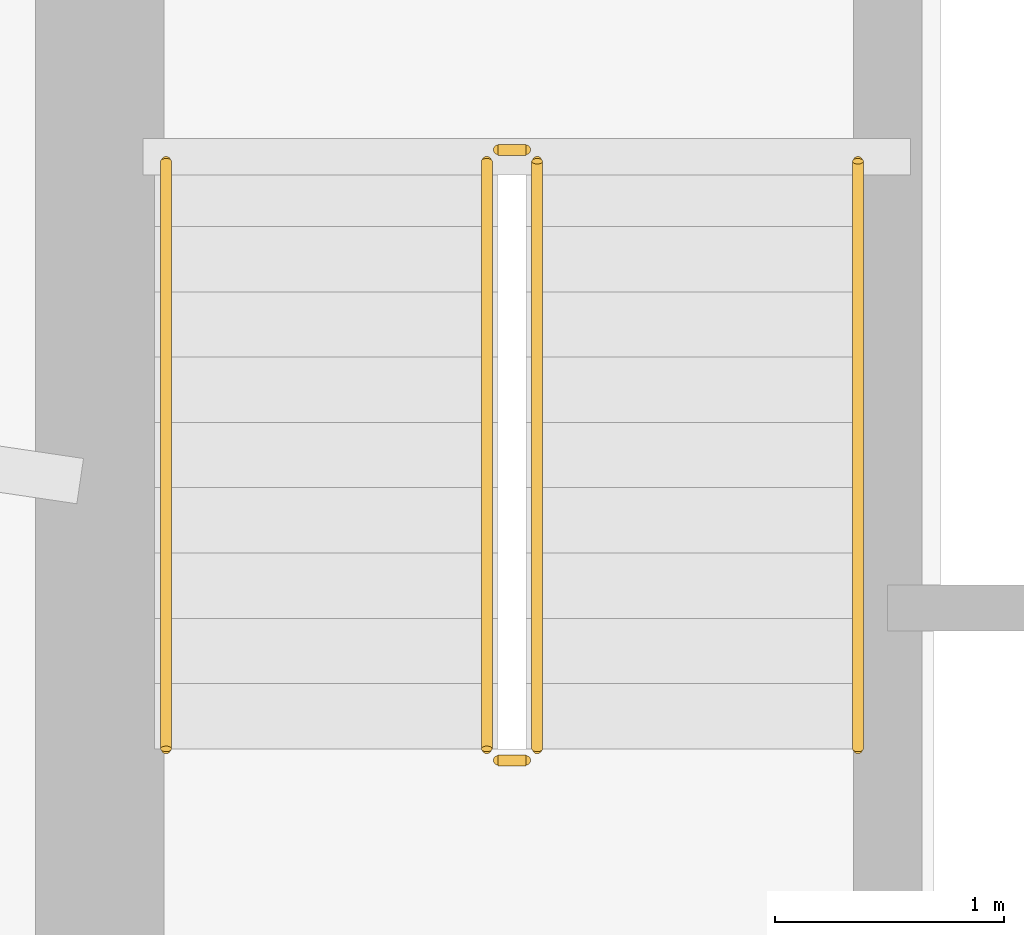
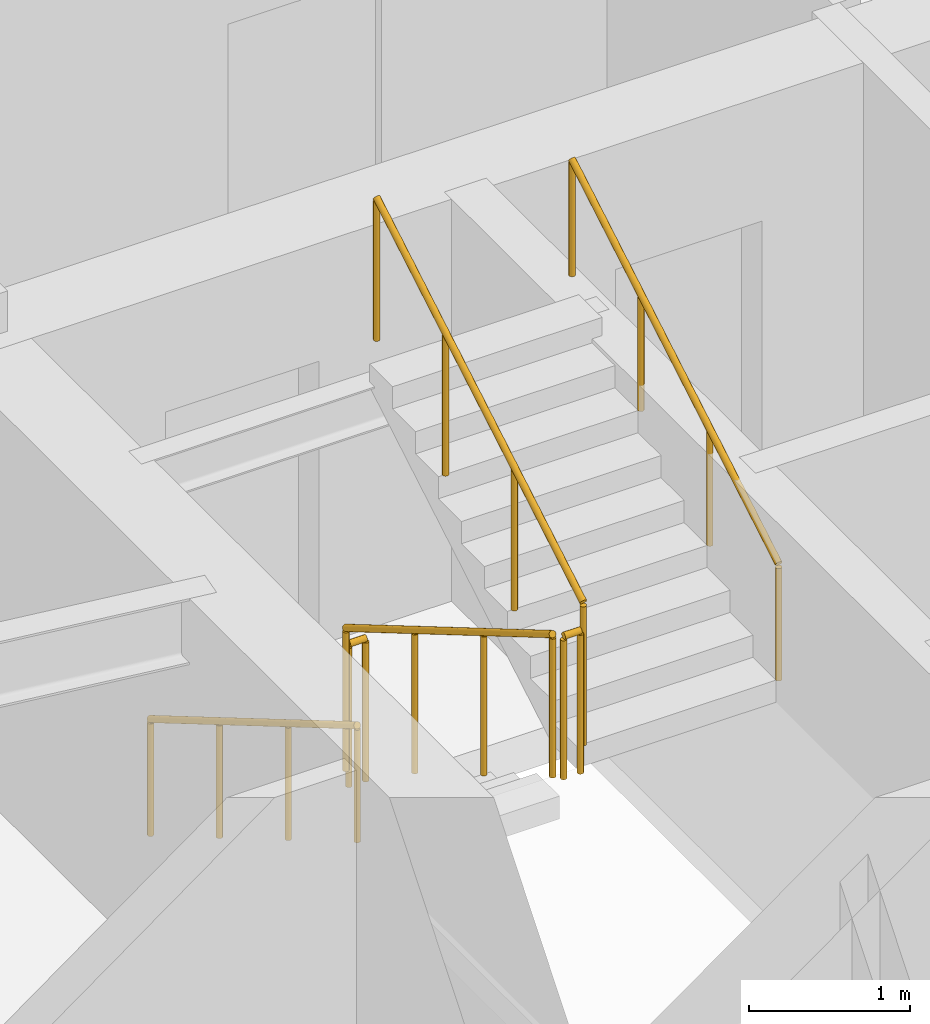
# One storey, part 18 of 20: 6 railings.
"""IFC4 building model written with IfcOpenShell, lengths in metres."""

import ifcopenshell
import ifcopenshell.guid

model = None  # the IFC model being written
_history = None  # IfcOwnerHistory: only IFC2X3 demands one
_inside = {}  # id of a spatial element -> (the spatial element, [elements in it])
_under = {}  # id of a project, library or spatial element -> (it, [spatial elements below it])
_declared = {}  # id of a project -> (the project, [libraries it declares])
_typed = {}  # id of a type object -> (the type object, [elements of that type])
_made_of = {}  # id of a material, layer set ... -> (it, [elements and type objects made of it])


def new_model(schema):
    """Start an empty IFC model of exactly this schema.

    Asked for "IFC4X3", IfcOpenShell would pick the latest addendum, in which some entities
    have other attributes; the version numbers below select the first issue.
    IFC2X3 requires an IfcOwnerHistory on every rooted entity: one is made here for all.
    """
    global model, _history
    if schema == "IFC4X3":
        model = ifcopenshell.file(schema_version=(4, 3, 0, 0))
    else:
        model = ifcopenshell.file(schema=schema)
    _inside.clear()
    _under.clear()
    _declared.clear()
    _typed.clear()
    _made_of.clear()
    _history = None
    if model.schema == "IFC2X3":
        org = make("IfcOrganization", Name="unknown")
        user = make(
            "IfcPersonAndOrganization",
            ThePerson=make("IfcPerson", FamilyName="unknown"),
            TheOrganization=org,
        )
        app = make(
            "IfcApplication",
            ApplicationDeveloper=org,
            Version="unknown",
            ApplicationFullName="unknown",
            ApplicationIdentifier="unknown",
        )
        _history = make(
            "IfcOwnerHistory",
            OwningUser=user,
            OwningApplication=app,
            ChangeAction="ADDED",
            CreationDate=0,
        )
    return model


def make(cls, **values):
    """One entity of the class cls with the attributes given. An attribute that is None is left unset."""
    return model.create_entity(
        cls, **{name: value for name, value in values.items() if value is not None}
    )


def rooted(cls, **values):
    """An entity with a GlobalId (a new one), such as an element, a storey or a relation."""
    return make(cls, GlobalId=ifcopenshell.guid.new(), OwnerHistory=_history, **values)


def si_unit(unit_type, name, prefix=None):
    """IfcSIUnit, for example si_unit("LENGTHUNIT", "METRE", prefix="MILLI")."""
    return make("IfcSIUnit", UnitType=unit_type, Prefix=prefix, Name=name)


def assignment(units):
    """IfcUnitAssignment: the units of a project."""
    return None if units is None else make("IfcUnitAssignment", Units=units)


def point(xyz):
    """IfcCartesianPoint."""
    return None if xyz is None else make("IfcCartesianPoint", Coordinates=xyz)


def direction(xyz):
    """IfcDirection."""
    return None if xyz is None else make("IfcDirection", DirectionRatios=xyz)


def frame(location, z_axis=None, x_axis=None):
    """IfcAxis2Placement3D, a coordinate frame: its origin and axes. An axis left out is left unset."""
    return make(
        "IfcAxis2Placement3D",
        Location=point(location),
        Axis=direction(z_axis),
        RefDirection=direction(x_axis),
    )


def frame_2d(location, x_axis=None):
    """IfcAxis2Placement2D, a coordinate frame in the plane: its origin and x axis."""
    return make(
        "IfcAxis2Placement2D", Location=point(location), RefDirection=direction(x_axis)
    )


def origin():
    """The frame at (0, 0, 0) with its axes left unset."""
    return frame((0.0, 0.0, 0.0))


def origin_2d():
    """The frame at (0, 0) in the plane with its x axis left unset."""
    return frame_2d((0.0, 0.0))


def place(relative_to, where):
    """IfcLocalPlacement: puts the frame where relative to a parent placement (None: the world)."""
    return make(
        "IfcLocalPlacement", PlacementRelTo=relative_to, RelativePlacement=where
    )


def context(
    kind, dimensions, precision=None, world=None, true_north=None, identifier=None
):
    """IfcGeometricRepresentationContext, for example the 3D "Model" context."""
    return make(
        "IfcGeometricRepresentationContext",
        ContextIdentifier=identifier,
        ContextType=kind,
        CoordinateSpaceDimension=dimensions,
        Precision=precision,
        WorldCoordinateSystem=world,
        TrueNorth=true_north,
    )


def subcontext(parent, identifier, kind, view, scale=None):
    """IfcGeometricRepresentationSubContext, for example "Body" below "Model"."""
    return make(
        "IfcGeometricRepresentationSubContext",
        ContextIdentifier=identifier,
        ContextType=kind,
        ParentContext=parent,
        TargetScale=scale,
        TargetView=view,
    )


def project(units=None, contexts=None):
    """IfcProject with its units and contexts."""
    return rooted(
        "IfcProject",
        Name="project",
        RepresentationContexts=contexts,
        UnitsInContext=assignment(units),
    )


def spatial(cls, under=None, at=None, **own):
    """A site, building, storey or space (cls), placed at a placement, below another one or the project."""
    s = rooted(cls, ObjectPlacement=at, **own)
    if under is not None:
        _under.setdefault(under.id(), (under, []))[1].append(s)
    return s


def profile(cls, at=None, kind="AREA", **sizes):
    """A parametric profile (cls). Its sizes go by their IFC names, for example OverallWidth=200.0."""
    return make(cls, ProfileType=kind, Position=at, **sizes)


def circle(**sizes):
    """IfcCircleProfileDef."""
    return profile("IfcCircleProfileDef", **sizes)


def extrude(swept, where, along, depth):
    """IfcExtrudedAreaSolid: the profile swept, set in the frame where, extruded along a direction by depth."""
    return make(
        "IfcExtrudedAreaSolid",
        SweptArea=swept,
        Position=where,
        ExtrudedDirection=direction(along),
        Depth=depth,
    )


def shape(context_of_items, identifier, shape_type, items):
    """IfcShapeRepresentation: the items that make up one representation, for example the "Body"."""
    return make(
        "IfcShapeRepresentation",
        ContextOfItems=context_of_items,
        RepresentationIdentifier=identifier,
        RepresentationType=shape_type,
        Items=items,
    )


def material(Name=None, Category=None):
    """IfcMaterial."""
    return make("IfcMaterial", Name=Name, Category=Category)


def made_of(thing, what):
    """Note that an element or type object is made of a material, layer set ...; save() writes the relation."""
    if what is not None:
        _made_of.setdefault(what.id(), (what, []))[1].append(thing)
    return thing


def type_object(cls, material=None, **own):
    """A type object (cls), such as IfcWallType, which elements share."""
    return made_of(rooted(cls, **own), material)


def element(
    cls,
    number,
    at=None,
    inside=None,
    cuts=None,
    type_object=None,
    material=None,
    context=None,
    identifier="Body",
    shape_type=None,
    held_by="IfcProductDefinitionShape",
    body=None,
    shapes=None,
    **own,
):
    """One element of the class cls, such as IfcWall. Its Tag is "e" and its number.

    at: its placement. inside: the storey or other place that contains it. cuts: it is an
    opening in that element (IfcRelVoidsElement). A single representation is given by context,
    identifier, shape_type and body (its items); several are given by shapes. held_by: the class
    of the entity that holds the representations. save() writes the other relations.
    """
    e = rooted(cls, Tag="e%d" % number, ObjectPlacement=at, **own)
    if body is not None:
        shapes = [shape(context, identifier, shape_type, body)]
    if shapes is not None:
        e.Representation = make(held_by, Representations=shapes)
    if inside is not None:
        _inside.setdefault(inside.id(), (inside, []))[1].append(e)
    if cuts is not None:
        rooted(
            "IfcRelVoidsElement", RelatingBuildingElement=cuts, RelatedOpeningElement=e
        )
    if type_object is not None:
        _typed.setdefault(type_object.id(), (type_object, []))[1].append(e)
    return made_of(e, material)


def aggregate(whole, parts):
    """IfcRelAggregates: a whole, such as a stair, and the parts it consists of."""
    return rooted("IfcRelAggregates", RelatingObject=whole, RelatedObjects=parts)


def save(model, path):
    """Write the relations noted so far, then the file.

    IfcRelAggregates (storeys below a building ...), IfcRelContainedInSpatialStructure (elements
    in a storey), IfcRelDefinesByType, IfcRelAssociatesMaterial and IfcRelDeclares: one each for
    every whole, place, type object, material and project.
    """
    for whole, parts in _under.values():
        aggregate(whole, parts)
    for where, things in _inside.values():
        rooted(
            "IfcRelContainedInSpatialStructure",
            RelatedElements=things,
            RelatingStructure=where,
        )
    for kind, things in _typed.values():
        rooted("IfcRelDefinesByType", RelatedObjects=things, RelatingType=kind)
    for what, things in _made_of.values():
        rooted("IfcRelAssociatesMaterial", RelatedObjects=things, RelatingMaterial=what)
    for by, libraries in _declared.values():
        rooted("IfcRelDeclares", RelatingContext=by, RelatedDefinitions=libraries)
    model.write(path)


model = new_model("IFC4")

# Units and contexts
model_context = context("Model", 3, precision=1e-05, world=origin(), true_north=direction((0.0, 1.0)))
body_context = subcontext(model_context, "Body", "Model", "MODEL_VIEW")
ifc_project = project(units=[si_unit("LENGTHUNIT", "METRE"), si_unit("AREAUNIT", "SQUARE_METRE"), si_unit("VOLUMEUNIT", "CUBIC_METRE"), si_unit("PLANEANGLEUNIT", "RADIAN"), si_unit("MASSUNIT", "GRAM", prefix="KILO")], contexts=[model_context])

# Site, building, storey
site_placement = place(None, origin())
site = spatial("IfcSite", under=ifc_project, at=site_placement, CompositionType="ELEMENT")
building_placement = place(site_placement, origin())
building = spatial("IfcBuilding", under=site, at=building_placement, Name="Qobustan Lattice House", CompositionType="ELEMENT")
storey_placement = place(building_placement, frame((0.0, 0.0, 79.0)))
storey = spatial("IfcBuildingStorey", under=building, at=storey_placement, Name="L21", CompositionType="ELEMENT", Elevation=79.0)

# Railings
ifc_material_1 = material(Name="Brushed stainless steel handrail", Category="steel")
railing_type_1 = type_object("IfcRailingType", Name="RAL-HR-920", PredefinedType="HANDRAIL", material=ifc_material_1)
railing_1_placement = place(storey_placement, frame((-18.199951171875, 3.5, 0.16748046875)))
element("IfcRailing", 1, at=railing_1_placement, inside=storey, type_object=railing_type_1, Name="L21 ST-W1 stair handrail 1", PredefinedType="HANDRAIL", context=body_context, shape_type="SweptSolid", body=[
    extrude(circle(Radius=0.02392578125, at=origin_2d()), frame((0.0, 0.0, 0.8759765625), z_axis=(0.0, -0.862113467892, 0.50671527358), x_axis=(1.0, 0.0, 0.0)), (0.0, 0.0, 1.0), 2.97509765625),
    extrude(circle(Radius=0.02099609375, at=origin_2d()), origin(), (0.0, 0.0, 1.0), 0.851806640625),
    extrude(circle(Radius=0.02099609375, at=origin_2d()), frame((0.0, -0.85498046875, 0.50244140625)), (0.0, 0.0, 1.0), 0.851806640625),
    extrude(circle(Radius=0.02099609375, at=origin_2d()), frame((0.0, -1.7099609375, 1.005126953125)), (0.0, 0.0, 1.0), 0.851806640625),
    extrude(circle(Radius=0.02099609375, at=origin_2d()), frame((0.0, -2.56494140625, 1.507568359375)), (0.0, 0.0, 1.0), 0.851806640625),
])
railing_2_placement = place(storey_placement, frame((-15.179931640625, 0.93505859375, 1.842529296875)))
element("IfcRailing", 2, at=railing_2_placement, inside=storey, type_object=railing_type_1, Name="L21 ST-W1 stair handrail 2", PredefinedType="HANDRAIL", context=body_context, shape_type="SweptSolid", body=[
    extrude(circle(Radius=0.02392578125, at=origin_2d()), frame((0.0, 0.0, 0.8759765625), z_axis=(0.0, 0.862113467892, 0.50671527358), x_axis=(-1.0, 0.0, 0.0)), (0.0, 0.0, 1.0), 2.97509765625),
    extrude(circle(Radius=0.02099609375, at=origin_2d()), origin(), (0.0, 0.0, 1.0), 0.851806640625),
    extrude(circle(Radius=0.02099609375, at=origin_2d()), frame((0.0, 0.85498046875, 0.50244140625)), (0.0, 0.0, 1.0), 0.851806640625),
    extrude(circle(Radius=0.02099609375, at=origin_2d()), frame((0.0, 1.7099609375, 1.005126953125)), (0.0, 0.0, 1.0), 0.851806640625),
    extrude(circle(Radius=0.02099609375, at=origin_2d()), frame((0.0, 2.56494140625, 1.507568359375)), (0.0, 0.0, 1.0), 0.851806640625),
])
ifc_material_2 = material(Name="Painted galvanized steel guardrail", Category="steel")
railing_type_2 = type_object("IfcRailingType", Name="RAL-STG-1150", PredefinedType="GUARDRAIL", material=ifc_material_2)
railing_3_placement = place(storey_placement, frame((-16.800048828125, 3.5, 0.16748046875)))
element("IfcRailing", 3, at=railing_3_placement, inside=storey, type_object=railing_type_2, Name="L21 ST-W1 stair guard 1", PredefinedType="GUARDRAIL", context=body_context, shape_type="SweptSolid", body=[
    extrude(circle(Radius=0.02392578125, at=origin_2d()), frame((0.0, 0.0, 1.076171875), z_axis=(0.0, -0.862113467892, 0.50671527358), x_axis=(1.0, 0.0, 0.0)), (0.0, 0.0, 1.0), 2.97509765625),
    extrude(circle(Radius=0.02099609375, at=origin_2d()), origin(), (0.0, 0.0, 1.0), 1.052001953125),
    extrude(circle(Radius=0.02099609375, at=origin_2d()), frame((0.0, -0.85498046875, 0.50244140625)), (0.0, 0.0, 1.0), 1.052001953125),
    extrude(circle(Radius=0.02099609375, at=origin_2d()), frame((0.0, -1.7099609375, 1.005126953125)), (0.0, 0.0, 1.0), 1.052001953125),
    extrude(circle(Radius=0.02099609375, at=origin_2d()), frame((0.0, -2.56494140625, 1.507568359375)), (0.0, 0.0, 1.0), 1.052001953125),
])
railing_4_placement = place(storey_placement, frame((-16.75, 0.885009765625, 1.675048828125)))
element("IfcRailing", 4, at=railing_4_placement, inside=storey, type_object=railing_type_2, Name="L21 ST-W1 stair guard 2", PredefinedType="GUARDRAIL", context=body_context, shape_type="SweptSolid", body=[
    extrude(circle(Radius=0.02392578125, at=origin_2d()), frame((0.0, 0.0, 1.076171875), z_axis=(1.0, 0.0, 0.0), x_axis=(0.0, 1.0, 0.0)), (0.0, 0.0, 1.0), 0.1201171875),
    extrude(circle(Radius=0.02099609375, at=origin_2d()), origin(), (0.0, 0.0, 1.0), 1.052001953125),
    extrude(circle(Radius=0.02099609375, at=origin_2d()), frame((0.1201171875, 0.0, 0.0)), (0.0, 0.0, 1.0), 1.052001953125),
])
railing_5_placement = place(storey_placement, frame((-16.580078125, 0.93505859375, 1.842529296875)))
element("IfcRailing", 5, at=railing_5_placement, inside=storey, type_object=railing_type_2, Name="L21 ST-W1 stair guard 3", PredefinedType="GUARDRAIL", context=body_context, shape_type="SweptSolid", body=[
    extrude(circle(Radius=0.02392578125, at=origin_2d()), frame((0.0, 0.0, 1.076171875), z_axis=(0.0, 0.862113467892, 0.50671527358), x_axis=(-1.0, 0.0, 0.0)), (0.0, 0.0, 1.0), 2.97509765625),
    extrude(circle(Radius=0.02099609375, at=origin_2d()), origin(), (0.0, 0.0, 1.0), 1.052001953125),
    extrude(circle(Radius=0.02099609375, at=origin_2d()), frame((0.0, 0.85498046875, 0.50244140625)), (0.0, 0.0, 1.0), 1.052001953125),
    extrude(circle(Radius=0.02099609375, at=origin_2d()), frame((0.0, 1.7099609375, 1.005126953125)), (0.0, 0.0, 1.0), 1.052001953125),
    extrude(circle(Radius=0.02099609375, at=origin_2d()), frame((0.0, 2.56494140625, 1.507568359375)), (0.0, 0.0, 1.0), 1.052001953125),
])
railing_6_placement = place(storey_placement, frame((-16.75, 3.550048828125, 0.0)))
element("IfcRailing", 6, at=railing_6_placement, inside=storey, type_object=railing_type_2, Name="L21 ST-W1 stair guard 4", PredefinedType="GUARDRAIL", context=body_context, shape_type="SweptSolid", body=[
    extrude(circle(Radius=0.02392578125, at=origin_2d()), frame((0.0, 0.0, 1.076171875), z_axis=(1.0, 0.0, 0.0), x_axis=(0.0, 1.0, 0.0)), (0.0, 0.0, 1.0), 0.1201171875),
    extrude(circle(Radius=0.02099609375, at=origin_2d()), origin(), (0.0, 0.0, 1.0), 1.052001953125),
    extrude(circle(Radius=0.02099609375, at=origin_2d()), frame((0.1201171875, 0.0, 0.0)), (0.0, 0.0, 1.0), 1.052001953125),
])

save(model, "model.ifc")
